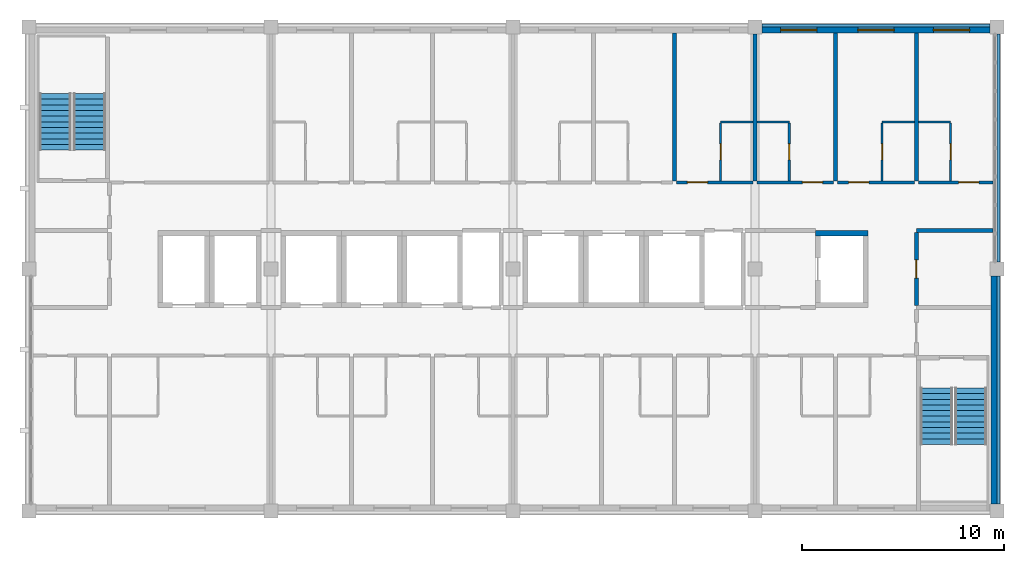
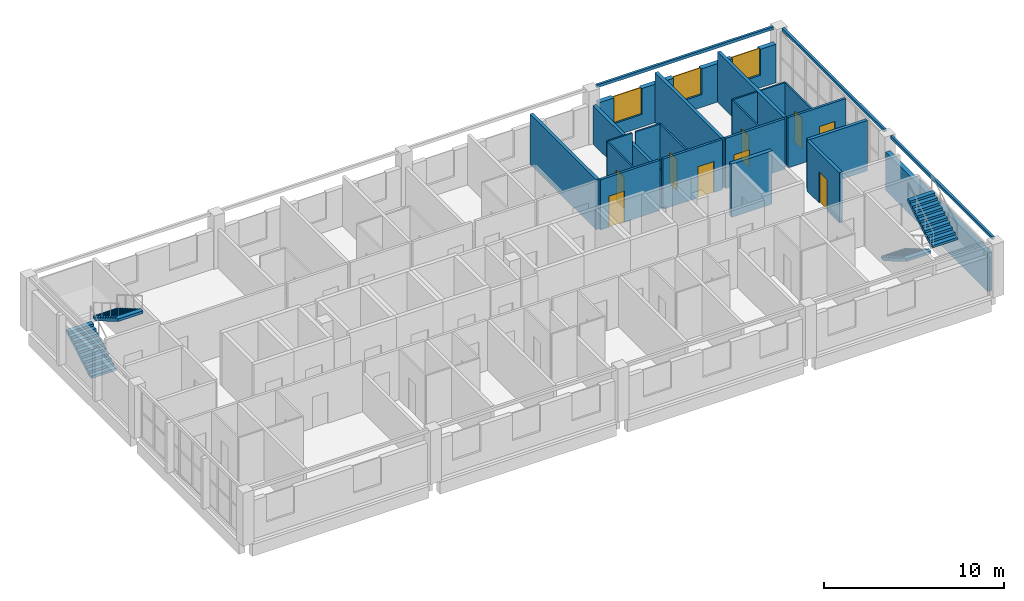
# One storey, part 10 of 11: 24 walls, 9 doors, 4 stair flights, 3 windows, 12 openings, 2 elements without a shape of their own.
"""IFC4 building model written with IfcOpenShell, lengths in metres."""

from ifc_helpers import new_model, si_unit, direction, frame, frame_2d, origin, place, context, subcontext, project, spatial, polyline, rectangle, outline, extrude, material, layer, layer_set, type_object, element, fill, aggregate, save


model = new_model("IFC4")

# Units and contexts
model_context = context("Model", 3, precision=1e-05, world=origin(), true_north=direction((0.0, 1.0)))
body_context = subcontext(model_context, "Body", "Model", "MODEL_VIEW")
ifc_project = project(units=[si_unit("LENGTHUNIT", "METRE"), si_unit("AREAUNIT", "SQUARE_METRE"), si_unit("VOLUMEUNIT", "CUBIC_METRE"), si_unit("PLANEANGLEUNIT", "RADIAN"), si_unit("MASSUNIT", "GRAM", prefix="KILO")], contexts=[model_context])

# Site, building, storey
site_placement = place(None, origin())
site = spatial("IfcSite", under=ifc_project, at=site_placement, CompositionType="ELEMENT")
building_placement = place(site_placement, origin())
building = spatial("IfcBuilding", under=site, at=building_placement, Name="Lilac Gate Convention Centre", CompositionType="ELEMENT")
storey_placement = place(building_placement, frame((0.0, 0.0, 57.0)))
storey = spatial("IfcBuildingStorey", under=building, at=storey_placement, Name="L14", CompositionType="ELEMENT", Elevation=57.0)

# Wall
ifc_material_1 = material(Name="Concrete C40", Category="concrete")
ifc_layer_1 = layer(ifc_material_1, 0.25)
ifc_layer_set_1 = layer_set([ifc_layer_1], Name="Concrete C40")
wall_type_1 = type_object("IfcWallType", Name="Core wall 250 C40", PredefinedType="SHEAR", material=ifc_layer_set_1)
wall_1_placement = place(storey_placement, frame((81.0, 235.77490234375, 0.0), z_axis=(0.0, 0.0, 1.0), x_axis=(1.0, 0.0, 0.0)))
element("IfcWall", 1, at=wall_1_placement, inside=storey, type_object=wall_type_1, Name="CRW5 core wall TC L14 34", PredefinedType="SHEAR", context=body_context, shape_type="SweptSolid", body=[
    extrude(rectangle(XDim=2.60009765625, YDim=0.25, at=frame_2d((1.300048828125, 0.0))), origin(), (0.0, 0.0, 1.0), 3.60009765625),
])

# Wall, opening, door
ifc_material_2 = material(Name="Gypsum board on steel stud", Category="steel")
ifc_layer_2 = layer(ifc_material_2, 0.14990234375)
ifc_layer_set_2 = layer_set([ifc_layer_2], Name="Gypsum board on steel stud")
wall_type_2 = type_object("IfcWallType", Name="Corridor wall 150", PredefinedType="PARTITIONING", material=ifc_layer_set_2)
wall_2_placement = place(storey_placement, frame((74.10009765625, 238.300048828125, 0.0), z_axis=(0.0, 0.0, 1.0), x_axis=(1.0, 0.0, 0.0)))
wall_2 = element("IfcWall", 2, at=wall_2_placement, inside=storey, type_object=wall_type_2, Name="Corridor wall 150 front 1417", PredefinedType="PARTITIONING", context=body_context, shape_type="SweptSolid", body=[
    extrude(rectangle(XDim=3.7998046875, YDim=0.14990234375, at=frame_2d((1.89990234375, 0.0))), origin(), (0.0, 0.0, 1.0), 3.39990234375),
])
opening_1_placement = place(wall_2_placement, frame((0.550048828125, 0.0, 0.0)))
opening_1 = element("IfcOpeningElement", 3, at=opening_1_placement, cuts=wall_2, Name="Opening T13-039", PredefinedType="OPENING", context=body_context, shape_type="SweptSolid", body=[
    extrude(rectangle(XDim=1.0, YDim=2.10009765625, at=frame_2d((0.5, 1.050048828125))), frame((0.0, 0.0849609375, 0.0), z_axis=(0.0, -1.0, 0.0), x_axis=(1.0, 0.0, 0.0)), (0.0, 0.0, 1.0), 0.169921875),
])
ifc_material_3 = material(Name="Timber", Category="wood")
door_type_1 = type_object("IfcDoorType", Name="Guest room entrance door 1000", OperationType="SINGLE_SWING_LEFT", PredefinedType="DOOR", material=ifc_material_3)
door_1_placement = place(opening_1_placement, origin())
door_1 = element("IfcDoor", 4, at=door_1_placement, inside=storey, type_object=door_type_1, Name="Guest room door 1417", OperationType="SINGLE_SWING_LEFT", OverallHeight=2.10009765625, OverallWidth=1.0, PredefinedType="DOOR", context=body_context, shape_type="SweptSolid", body=[
    extrude(rectangle(XDim=1.0, YDim=2.10009765625, at=frame_2d((0.5, 1.050048828125))), frame((0.0, 0.02490234375, 0.0), z_axis=(0.0, -1.0, 0.0), x_axis=(1.0, 0.0, 0.0)), (0.0, 0.0, 1.0), 0.050048828125),
])
fill(opening_1, door_1)

wall_3_placement = place(storey_placement, frame((78.10009765625, 238.300048828125, 0.0), z_axis=(0.0, 0.0, 1.0), x_axis=(1.0, 0.0, 0.0)))
wall_3 = element("IfcWall", 5, at=wall_3_placement, inside=storey, type_object=wall_type_2, Name="Corridor wall 150 front 1418", PredefinedType="PARTITIONING", context=body_context, shape_type="SweptSolid", body=[
    extrude(rectangle(XDim=3.7998046875, YDim=0.14990234375, at=frame_2d((1.89990234375, 0.0))), origin(), (0.0, 0.0, 1.0), 3.39990234375),
])
opening_2_placement = place(wall_3_placement, frame((2.25, 0.0, 0.0)))
opening_2 = element("IfcOpeningElement", 6, at=opening_2_placement, cuts=wall_3, Name="Opening T13-041", PredefinedType="OPENING", context=body_context, shape_type="SweptSolid", body=[
    extrude(rectangle(XDim=1.0, YDim=2.10009765625, at=frame_2d((0.5, 1.050048828125))), frame((0.0, 0.0849609375, 0.0), z_axis=(0.0, -1.0, 0.0), x_axis=(1.0, 0.0, 0.0)), (0.0, 0.0, 1.0), 0.169921875),
])
door_2_placement = place(opening_2_placement, origin())
door_2 = element("IfcDoor", 7, at=door_2_placement, inside=storey, type_object=door_type_1, Name="Guest room door 1418", OperationType="SINGLE_SWING_LEFT", OverallHeight=2.10009765625, OverallWidth=1.0, PredefinedType="DOOR", context=body_context, shape_type="SweptSolid", body=[
    extrude(rectangle(XDim=1.0, YDim=2.10009765625, at=frame_2d((0.5, 1.050048828125))), frame((0.0, 0.02490234375, 0.0), z_axis=(0.0, -1.0, 0.0), x_axis=(1.0, 0.0, 0.0)), (0.0, 0.0, 1.0), 0.050048828125),
])
fill(opening_2, door_2)

wall_4_placement = place(storey_placement, frame((82.10009765625, 238.300048828125, 0.0), z_axis=(0.0, 0.0, 1.0), x_axis=(1.0, 0.0, 0.0)))
wall_4 = element("IfcWall", 8, at=wall_4_placement, inside=storey, type_object=wall_type_2, Name="Corridor wall 150 front 1419", PredefinedType="PARTITIONING", context=body_context, shape_type="SweptSolid", body=[
    extrude(rectangle(XDim=3.7998046875, YDim=0.14990234375, at=frame_2d((1.89990234375, 0.0))), origin(), (0.0, 0.0, 1.0), 3.39990234375),
])
opening_3_placement = place(wall_4_placement, frame((0.550048828125, 0.0, 0.0)))
opening_3 = element("IfcOpeningElement", 9, at=opening_3_placement, cuts=wall_4, Name="Opening T13-043", PredefinedType="OPENING", context=body_context, shape_type="SweptSolid", body=[
    extrude(rectangle(XDim=1.0, YDim=2.10009765625, at=frame_2d((0.5, 1.050048828125))), frame((0.0, 0.0849609375, 0.0), z_axis=(0.0, -1.0, 0.0), x_axis=(1.0, 0.0, 0.0)), (0.0, 0.0, 1.0), 0.169921875),
])
door_3_placement = place(opening_3_placement, origin())
door_3 = element("IfcDoor", 10, at=door_3_placement, inside=storey, type_object=door_type_1, Name="Guest room door 1419", OperationType="SINGLE_SWING_LEFT", OverallHeight=2.10009765625, OverallWidth=1.0, PredefinedType="DOOR", context=body_context, shape_type="SweptSolid", body=[
    extrude(rectangle(XDim=1.0, YDim=2.10009765625, at=frame_2d((0.5, 1.050048828125))), frame((0.0, 0.02490234375, 0.0), z_axis=(0.0, -1.0, 0.0), x_axis=(1.0, 0.0, 0.0)), (0.0, 0.0, 1.0), 0.050048828125),
])
fill(opening_3, door_3)

wall_5_placement = place(storey_placement, frame((86.10009765625, 238.300048828125, 0.0), z_axis=(0.0, 0.0, 1.0), x_axis=(1.0, 0.0, 0.0)))
wall_5 = element("IfcWall", 11, at=wall_5_placement, inside=storey, type_object=wall_type_2, Name="Corridor wall 150 front 1420", PredefinedType="PARTITIONING", context=body_context, shape_type="SweptSolid", body=[
    extrude(rectangle(XDim=3.69970703125, YDim=0.14990234375, at=frame_2d((1.849853515625, 0.0))), origin(), (0.0, 0.0, 1.0), 3.39990234375),
])
opening_4_placement = place(wall_5_placement, frame((2.0, 0.0, 0.0)))
opening_4 = element("IfcOpeningElement", 12, at=opening_4_placement, cuts=wall_5, Name="Opening T13-045", PredefinedType="OPENING", context=body_context, shape_type="SweptSolid", body=[
    extrude(rectangle(XDim=1.0, YDim=2.10009765625, at=frame_2d((0.5, 1.050048828125))), frame((0.0, 0.0849609375, 0.0), z_axis=(0.0, -1.0, 0.0), x_axis=(1.0, 0.0, 0.0)), (0.0, 0.0, 1.0), 0.169921875),
])
door_4_placement = place(opening_4_placement, origin())
door_4 = element("IfcDoor", 13, at=door_4_placement, inside=storey, type_object=door_type_1, Name="Guest room door 1420", OperationType="SINGLE_SWING_LEFT", OverallHeight=2.10009765625, OverallWidth=1.0, PredefinedType="DOOR", context=body_context, shape_type="SweptSolid", body=[
    extrude(rectangle(XDim=1.0, YDim=2.10009765625, at=frame_2d((0.5, 1.050048828125))), frame((0.0, 0.02490234375, 0.0), z_axis=(0.0, -1.0, 0.0), x_axis=(1.0, 0.0, 0.0)), (0.0, 0.0, 1.0), 0.050048828125),
])
fill(opening_4, door_4)

# Wall
ifc_layer_3 = layer(ifc_material_2, 0.10009765625)
ifc_layer_set_3 = layer_set([ifc_layer_3], Name="Gypsum board on steel stud")
wall_type_3 = type_object("IfcWallType", Name="En-suite wall 100", PredefinedType="PARTITIONING", material=ifc_layer_set_3)
wall_6_placement = place(storey_placement, frame((76.300048828125, 241.300048828125, 0.0), z_axis=(0.0, 0.0, 1.0), x_axis=(1.0, 0.0, 0.0)))
element("IfcWall", 14, at=wall_6_placement, inside=storey, type_object=wall_type_3, Name="En-suite wall 100 bath 1417", PredefinedType="PARTITIONING", context=body_context, shape_type="SweptSolid", body=[
    extrude(rectangle(XDim=1.599853515625, YDim=0.10009765625, at=frame_2d((0.7998046875, 0.0))), origin(), (0.0, 0.0, 1.0), 3.39990234375),
])

# Wall, opening, door
wall_7_placement = place(storey_placement, frame((76.300048828125, 238.375, 0.0), z_axis=(0.0, 0.0, 1.0), x_axis=(0.0, 1.0, 0.0)))
wall_7 = element("IfcWall", 15, at=wall_7_placement, inside=storey, type_object=wall_type_3, Name="En-suite wall 100 bath side 1417", PredefinedType="PARTITIONING", context=body_context, shape_type="SweptSolid", body=[
    extrude(rectangle(XDim=2.875, YDim=0.10009765625, at=frame_2d((1.4375, 0.0))), origin(), (0.0, 0.0, 1.0), 3.39990234375),
])
opening_5_placement = place(wall_7_placement, frame((1.03759765625, 0.0, 0.0)))
opening_5 = element("IfcOpeningElement", 16, at=opening_5_placement, cuts=wall_7, Name="Opening T13-040", PredefinedType="OPENING", context=body_context, shape_type="SweptSolid", body=[
    extrude(rectangle(XDim=0.800048828125, YDim=2.10009765625, at=frame_2d((0.39990234375, 1.050048828125))), frame((0.0, 0.06005859375, 0.0), z_axis=(0.0, -1.0, 0.0), x_axis=(1.0, 0.0, 0.0)), (0.0, 0.0, 1.0), 0.1201171875),
])
door_type_2 = type_object("IfcDoorType", Name="En-suite door 800", OperationType="SINGLE_SWING_LEFT", PredefinedType="DOOR", material=ifc_material_3)
door_5_placement = place(opening_5_placement, origin())
door_5 = element("IfcDoor", 17, at=door_5_placement, inside=storey, type_object=door_type_2, Name="En-suite door 1417", OperationType="SINGLE_SWING_LEFT", OverallHeight=2.10009765625, OverallWidth=0.800048828125, PredefinedType="DOOR", context=body_context, shape_type="SweptSolid", body=[
    extrude(rectangle(XDim=0.800048828125, YDim=2.10009765625, at=frame_2d((0.39990234375, 1.050048828125))), frame((0.0, 0.02490234375, 0.0), z_axis=(0.0, -1.0, 0.0), x_axis=(1.0, 0.0, 0.0)), (0.0, 0.0, 1.0), 0.050048828125),
])
fill(opening_5, door_5)

# Wall
wall_8_placement = place(storey_placement, frame((78.10009765625, 241.300048828125, 0.0), z_axis=(0.0, 0.0, 1.0), x_axis=(1.0, 0.0, 0.0)))
element("IfcWall", 18, at=wall_8_placement, inside=storey, type_object=wall_type_3, Name="En-suite wall 100 bath 1418", PredefinedType="PARTITIONING", context=body_context, shape_type="SweptSolid", body=[
    extrude(rectangle(XDim=1.599853515625, YDim=0.10009765625, at=frame_2d((0.7998046875, 0.0))), origin(), (0.0, 0.0, 1.0), 3.39990234375),
])

# Wall, opening, door
wall_9_placement = place(storey_placement, frame((79.699951171875, 241.25, 0.0), z_axis=(0.0, 0.0, 1.0), x_axis=(0.0, -1.0, 0.0)))
wall_9 = element("IfcWall", 19, at=wall_9_placement, inside=storey, type_object=wall_type_3, Name="En-suite wall 100 bath side 1418", PredefinedType="PARTITIONING", context=body_context, shape_type="SweptSolid", body=[
    extrude(rectangle(XDim=2.875, YDim=0.10009765625, at=frame_2d((1.4375, 0.0))), origin(), (0.0, 0.0, 1.0), 3.39990234375),
])
opening_6_placement = place(wall_9_placement, frame((1.03759765625, 0.0, 0.0)))
opening_6 = element("IfcOpeningElement", 20, at=opening_6_placement, cuts=wall_9, Name="Opening T13-042", PredefinedType="OPENING", context=body_context, shape_type="SweptSolid", body=[
    extrude(rectangle(XDim=0.800048828125, YDim=2.10009765625, at=frame_2d((0.39990234375, 1.050048828125))), frame((0.0, 0.06005859375, 0.0), z_axis=(0.0, -1.0, 0.0), x_axis=(1.0, 0.0, 0.0)), (0.0, 0.0, 1.0), 0.1201171875),
])
door_6_placement = place(opening_6_placement, origin())
door_6 = element("IfcDoor", 21, at=door_6_placement, inside=storey, type_object=door_type_2, Name="En-suite door 1418", OperationType="SINGLE_SWING_RIGHT", OverallHeight=2.10009765625, OverallWidth=0.800048828125, PredefinedType="DOOR", context=body_context, shape_type="SweptSolid", body=[
    extrude(rectangle(XDim=0.800048828125, YDim=2.10009765625, at=frame_2d((0.39990234375, 1.050048828125))), frame((0.0, 0.02490234375, 0.0), z_axis=(0.0, -1.0, 0.0), x_axis=(1.0, 0.0, 0.0)), (0.0, 0.0, 1.0), 0.050048828125),
])
fill(opening_6, door_6)

# Wall
wall_10_placement = place(storey_placement, frame((84.300048828125, 241.300048828125, 0.0), z_axis=(0.0, 0.0, 1.0), x_axis=(1.0, 0.0, 0.0)))
element("IfcWall", 22, at=wall_10_placement, inside=storey, type_object=wall_type_3, Name="En-suite wall 100 bath 1419", PredefinedType="PARTITIONING", context=body_context, shape_type="SweptSolid", body=[
    extrude(rectangle(XDim=1.599853515625, YDim=0.10009765625, at=frame_2d((0.7998046875, 0.0))), origin(), (0.0, 0.0, 1.0), 3.39990234375),
])

# Wall, opening, door
wall_11_placement = place(storey_placement, frame((84.300048828125, 238.375, 0.0), z_axis=(0.0, 0.0, 1.0), x_axis=(0.0, 1.0, 0.0)))
wall_11 = element("IfcWall", 23, at=wall_11_placement, inside=storey, type_object=wall_type_3, Name="En-suite wall 100 bath side 1419", PredefinedType="PARTITIONING", context=body_context, shape_type="SweptSolid", body=[
    extrude(rectangle(XDim=2.875, YDim=0.10009765625, at=frame_2d((1.4375, 0.0))), origin(), (0.0, 0.0, 1.0), 3.39990234375),
])
opening_7_placement = place(wall_11_placement, frame((1.03759765625, 0.0, 0.0)))
opening_7 = element("IfcOpeningElement", 24, at=opening_7_placement, cuts=wall_11, Name="Opening T13-044", PredefinedType="OPENING", context=body_context, shape_type="SweptSolid", body=[
    extrude(rectangle(XDim=0.800048828125, YDim=2.10009765625, at=frame_2d((0.39990234375, 1.050048828125))), frame((0.0, 0.06005859375, 0.0), z_axis=(0.0, -1.0, 0.0), x_axis=(1.0, 0.0, 0.0)), (0.0, 0.0, 1.0), 0.1201171875),
])
door_7_placement = place(opening_7_placement, origin())
door_7 = element("IfcDoor", 25, at=door_7_placement, inside=storey, type_object=door_type_2, Name="En-suite door 1419", OperationType="SINGLE_SWING_LEFT", OverallHeight=2.10009765625, OverallWidth=0.800048828125, PredefinedType="DOOR", context=body_context, shape_type="SweptSolid", body=[
    extrude(rectangle(XDim=0.800048828125, YDim=2.10009765625, at=frame_2d((0.39990234375, 1.050048828125))), frame((0.0, 0.02490234375, 0.0), z_axis=(0.0, -1.0, 0.0), x_axis=(1.0, 0.0, 0.0)), (0.0, 0.0, 1.0), 0.050048828125),
])
fill(opening_7, door_7)

# Wall
wall_12_placement = place(storey_placement, frame((86.10009765625, 241.300048828125, 0.0), z_axis=(0.0, 0.0, 1.0), x_axis=(1.0, 0.0, 0.0)))
element("IfcWall", 26, at=wall_12_placement, inside=storey, type_object=wall_type_3, Name="En-suite wall 100 bath 1420", PredefinedType="PARTITIONING", context=body_context, shape_type="SweptSolid", body=[
    extrude(rectangle(XDim=1.599853515625, YDim=0.10009765625, at=frame_2d((0.7998046875, 0.0))), origin(), (0.0, 0.0, 1.0), 3.39990234375),
])

# Wall, opening, door
wall_13_placement = place(storey_placement, frame((87.699951171875, 241.25, 0.0), z_axis=(0.0, 0.0, 1.0), x_axis=(0.0, -1.0, 0.0)))
wall_13 = element("IfcWall", 27, at=wall_13_placement, inside=storey, type_object=wall_type_3, Name="En-suite wall 100 bath side 1420", PredefinedType="PARTITIONING", context=body_context, shape_type="SweptSolid", body=[
    extrude(rectangle(XDim=2.875, YDim=0.10009765625, at=frame_2d((1.4375, 0.0))), origin(), (0.0, 0.0, 1.0), 3.39990234375),
])
opening_8_placement = place(wall_13_placement, frame((1.03759765625, 0.0, 0.0)))
opening_8 = element("IfcOpeningElement", 28, at=opening_8_placement, cuts=wall_13, Name="Opening T13-046", PredefinedType="OPENING", context=body_context, shape_type="SweptSolid", body=[
    extrude(rectangle(XDim=0.800048828125, YDim=2.10009765625, at=frame_2d((0.39990234375, 1.050048828125))), frame((0.0, 0.06005859375, 0.0), z_axis=(0.0, -1.0, 0.0), x_axis=(1.0, 0.0, 0.0)), (0.0, 0.0, 1.0), 0.1201171875),
])
door_8_placement = place(opening_8_placement, origin())
door_8 = element("IfcDoor", 29, at=door_8_placement, inside=storey, type_object=door_type_2, Name="En-suite door 1420", OperationType="SINGLE_SWING_RIGHT", OverallHeight=2.10009765625, OverallWidth=0.800048828125, PredefinedType="DOOR", context=body_context, shape_type="SweptSolid", body=[
    extrude(rectangle(XDim=0.800048828125, YDim=2.10009765625, at=frame_2d((0.39990234375, 1.050048828125))), frame((0.0, 0.02490234375, 0.0), z_axis=(0.0, -1.0, 0.0), x_axis=(1.0, 0.0, 0.0)), (0.0, 0.0, 1.0), 0.050048828125),
])
fill(opening_8, door_8)

# Walls
ifc_layer_4 = layer(ifc_material_2, 0.199951171875)
ifc_layer_set_4 = layer_set([ifc_layer_4], Name="Gypsum board on steel stud")
wall_type_4 = type_object("IfcWallType", Name="Guest room party wall 200", PredefinedType="PARTITIONING", material=ifc_layer_set_4)
wall_14_placement = place(storey_placement, frame((74.0, 245.7001953125, 0.0), z_axis=(0.0, 0.0, 1.0), x_axis=(0.0, -1.0, 0.0)))
element("IfcWall", 30, at=wall_14_placement, inside=storey, type_object=wall_type_4, Name="Guest room party wall 200 party 74.0", PredefinedType="PARTITIONING", context=body_context, shape_type="SweptSolid", body=[
    extrude(rectangle(XDim=7.3251953125, YDim=0.199951171875, at=frame_2d((3.66259765625, 0.0))), origin(), (0.0, 0.0, 1.0), 3.39990234375),
])
wall_15_placement = place(storey_placement, frame((78.0, 245.64990234375, 0.0), z_axis=(0.0, 0.0, 1.0), x_axis=(0.0, -1.0, 0.0)))
element("IfcWall", 31, at=wall_15_placement, inside=storey, type_object=wall_type_4, Name="Guest room party wall 200 party 78.0", PredefinedType="PARTITIONING", context=body_context, shape_type="SweptSolid", body=[
    extrude(rectangle(XDim=7.27490234375, YDim=0.199951171875, at=frame_2d((3.637451171875, 0.0))), origin(), (0.0, 0.0, 1.0), 2.60009765625),
])
for number, where, z_axis, x_axis, name in (
    (32, (82.0, 245.7001953125, 0.0), (0.0, 0.0, 1.0), (0.0, -1.0, 0.0), "Guest room party wall 200 party 82.0"),
    (33, (86.0, 245.7001953125, 0.0), (0.0, 0.0, 1.0), (0.0, -1.0, 0.0), "Guest room party wall 200 party 86.0"),
):
    element("IfcWall", number, at=place(storey_placement, frame(where, z_axis=z_axis, x_axis=x_axis)), inside=storey, type_object=wall_type_4, Name=name, PredefinedType="PARTITIONING", context=body_context, shape_type="SweptSolid", body=[
        extrude(rectangle(XDim=7.3251953125, YDim=0.199951171875, at=frame_2d((3.66259765625, 0.0))), origin(), (0.0, 0.0, 1.0), 3.39990234375),
    ])
ifc_material_4 = material(Name="Concrete C40 precast", Category="concrete")
ifc_layer_5 = layer(ifc_material_4, 0.1298828125)
ifc_material_5 = material(Name="Ochre mineral render")
ifc_layer_6 = layer(ifc_material_5, 0.02001953125)
ifc_layer_set_5 = layer_set([ifc_layer_5, ifc_layer_6], Name="Concrete C40 precast, Ochre mineral render")
wall_type_5 = type_object("IfcWallType", Name="Precast band ochre 150", PredefinedType="STANDARD", material=ifc_layer_set_5)
for number, where, z_axis, x_axis, name in (
    (34, (90.074951171875, 222.35009765625, 3.39990234375), (0.0, 0.0, 1.0), (0.0, 1.0, 0.0), "Precast band E L14 1"),
    (35, (90.074951171875, 234.35009765625, 3.39990234375), (0.0, 0.0, 1.0), (0.0, 1.0, 0.0), "Precast band E L14 2"),
    (36, (89.64990234375, 246.074951171875, 3.39990234375), (0.0, 0.0, 1.0), (-1.0, 0.0, 0.0), "Precast band N L14 1"),
):
    element("IfcWall", number, at=place(storey_placement, frame(where, z_axis=z_axis, x_axis=x_axis)), inside=storey, type_object=wall_type_5, Name=name, PredefinedType="STANDARD", context=body_context, shape_type="SweptSolid", body=[
        extrude(rectangle(XDim=11.2998046875, YDim=0.14990234375, at=frame_2d((5.64990234375, 0.0))), origin(), (0.0, 0.0, 1.0), 0.2001953125),
    ])
ifc_material_6 = material(Name="Terracotta glazed cladding", Category="masonry")
ifc_layer_7 = layer(ifc_material_6, 0.02001953125)
ifc_layer_8 = layer(ifc_material_4, 0.06005859375)
ifc_material_7 = material(Name="Ventilated air cavity")
ifc_layer_9 = layer(ifc_material_7, 0.030029296875)
ifc_material_8 = material(Name="Mineral wool insulation")
ifc_layer_10 = layer(ifc_material_8, 0.1201171875)
ifc_material_9 = material(Name="Steel stud Q345 and gypsum lining", Category="steel")
ifc_layer_11 = layer(ifc_material_9, 0.070068359375)
ifc_layer_set_6 = layer_set([ifc_layer_7, ifc_layer_8, ifc_layer_9, ifc_layer_10, ifc_layer_11], Name="Terracotta glazed cladding, Concrete C40 precast, Ventilated air cavity, Mineral wool insulation, Steel stud Q345 and gypsum lining")
wall_type_6 = type_object("IfcWallType", Name="Precast panel wall terracotta 300", PredefinedType="STANDARD", material=ifc_layer_set_6)
wall_16_placement = place(storey_placement, frame((89.85009765625, 222.35009765625, 0.0), z_axis=(0.0, 0.0, 1.0), x_axis=(0.0, 1.0, 0.0)))
element("IfcWall", 37, at=wall_16_placement, inside=storey, type_object=wall_type_6, Name="External wall E L14 1", PredefinedType="STANDARD", context=body_context, shape_type="SweptSolid", body=[
    extrude(rectangle(XDim=11.2998046875, YDim=0.300048828125, at=frame_2d((5.64990234375, 0.0))), origin(), (0.0, 0.0, 1.0), 2.60009765625),
])

# Wall, openings, windows
wall_17_placement = place(storey_placement, frame((89.64990234375, 245.85009765625, 0.0), z_axis=(0.0, 0.0, 1.0), x_axis=(-1.0, 0.0, 0.0)))
wall_17 = element("IfcWall", 38, at=wall_17_placement, inside=storey, type_object=wall_type_6, Name="External wall N L14 1", PredefinedType="STANDARD", context=body_context, shape_type="SweptSolid", body=[
    extrude(rectangle(XDim=11.2998046875, YDim=0.300048828125, at=frame_2d((5.64990234375, 0.0))), origin(), (0.0, 0.0, 1.0), 2.60009765625),
])
opening_9_placement = place(wall_17_placement, frame((8.574951171875, 0.0, 0.85009765625)))
opening_9 = element("IfcOpeningElement", 39, at=opening_9_placement, cuts=wall_17, Name="Opening W1", PredefinedType="OPENING", context=body_context, shape_type="SweptSolid", body=[
    extrude(rectangle(XDim=1.800048828125, YDim=1.75, at=frame_2d((0.89990234375, 0.875))), frame((0.0, 0.159912109375, 0.0), z_axis=(0.0, -1.0, 0.0), x_axis=(1.0, 0.0, 0.0)), (0.0, 0.0, 1.0), 0.320068359375),
])
opening_10_placement = place(wall_17_placement, frame((4.75, 0.0, 0.85009765625)))
opening_10 = element("IfcOpeningElement", 40, at=opening_10_placement, cuts=wall_17, Name="Opening W1", PredefinedType="OPENING", context=body_context, shape_type="SweptSolid", body=[
    extrude(rectangle(XDim=1.800048828125, YDim=1.75, at=frame_2d((0.89990234375, 0.875))), frame((0.0, 0.159912109375, 0.0), z_axis=(0.0, -1.0, 0.0), x_axis=(1.0, 0.0, 0.0)), (0.0, 0.0, 1.0), 0.320068359375),
])
opening_11_placement = place(wall_17_placement, frame((1.0, 0.0, 0.85009765625)))
opening_11 = element("IfcOpeningElement", 41, at=opening_11_placement, cuts=wall_17, Name="Opening W1", PredefinedType="OPENING", context=body_context, shape_type="SweptSolid", body=[
    extrude(rectangle(XDim=1.800048828125, YDim=1.75, at=frame_2d((0.89990234375, 0.875))), frame((0.0, 0.159912109375, 0.0), z_axis=(0.0, -1.0, 0.0), x_axis=(1.0, 0.0, 0.0)), (0.0, 0.0, 1.0), 0.320068359375),
])
ifc_material_10 = material(Name="Aluminium framed double glazing", Category="aluminium")
window_type = type_object("IfcWindowType", Name="Guest room window 1800 x 1750", PartitioningType="DOUBLE_PANEL_VERTICAL", PredefinedType="WINDOW", material=ifc_material_10)
window_1_placement = place(opening_9_placement, origin())
window_1 = element("IfcWindow", 42, at=window_1_placement, inside=storey, type_object=window_type, Name="Window Guest N L14", OverallHeight=1.75, OverallWidth=1.800048828125, PartitioningType="SINGLE_PANEL", PredefinedType="WINDOW", context=body_context, shape_type="SweptSolid", body=[
    extrude(rectangle(XDim=1.800048828125, YDim=1.75, at=frame_2d((0.89990234375, 0.875))), frame((0.0, 0.030029296875, 0.0), z_axis=(0.0, -1.0, 0.0), x_axis=(1.0, 0.0, 0.0)), (0.0, 0.0, 1.0), 0.06005859375),
])
fill(opening_9, window_1)
window_2_placement = place(opening_10_placement, origin())
window_2 = element("IfcWindow", 43, at=window_2_placement, inside=storey, type_object=window_type, Name="Window Guest N L14", OverallHeight=1.75, OverallWidth=1.800048828125, PartitioningType="SINGLE_PANEL", PredefinedType="WINDOW", context=body_context, shape_type="SweptSolid", body=[
    extrude(rectangle(XDim=1.800048828125, YDim=1.75, at=frame_2d((0.89990234375, 0.875))), frame((0.0, 0.030029296875, 0.0), z_axis=(0.0, -1.0, 0.0), x_axis=(1.0, 0.0, 0.0)), (0.0, 0.0, 1.0), 0.06005859375),
])
fill(opening_10, window_2)
window_3_placement = place(opening_11_placement, origin())
window_3 = element("IfcWindow", 44, at=window_3_placement, inside=storey, type_object=window_type, Name="Window Guest N L14", OverallHeight=1.75, OverallWidth=1.800048828125, PartitioningType="SINGLE_PANEL", PredefinedType="WINDOW", context=body_context, shape_type="SweptSolid", body=[
    extrude(rectangle(XDim=1.800048828125, YDim=1.75, at=frame_2d((0.89990234375, 0.875))), frame((0.0, 0.030029296875, 0.0), z_axis=(0.0, -1.0, 0.0), x_axis=(1.0, 0.0, 0.0)), (0.0, 0.0, 1.0), 0.06005859375),
])
fill(opening_11, window_3)

# Wall
ifc_layer_12 = layer(ifc_material_2, 0.199951171875)
ifc_layer_set_7 = layer_set([ifc_layer_12], Name="Gypsum board on steel stud")
wall_type_7 = type_object("IfcWallType", Name="Riser and store wall 200", PredefinedType="PARTITIONING", material=ifc_layer_set_7)
wall_18_placement = place(storey_placement, frame((86.0, 235.89990234375, 0.0), z_axis=(0.0, 0.0, 1.0), x_axis=(1.0, 0.0, 0.0)))
element("IfcWall", 45, at=wall_18_placement, inside=storey, type_object=wall_type_7, Name="Riser and store wall 200 STE-N", PredefinedType="PARTITIONING", context=body_context, shape_type="SweptSolid", body=[
    extrude(rectangle(XDim=3.7998046875, YDim=0.199951171875, at=frame_2d((1.89990234375, 0.0))), origin(), (0.0, 0.0, 1.0), 3.39990234375),
])

# Wall, opening, door
wall_19_placement = place(storey_placement, frame((86.0, 235.800048828125, 0.0), z_axis=(0.0, 0.0, 1.0), x_axis=(0.0, -1.0, 0.0)))
wall_19 = element("IfcWall", 46, at=wall_19_placement, inside=storey, type_object=wall_type_7, Name="Riser and store wall 200 STE-W", PredefinedType="PARTITIONING", context=body_context, shape_type="SweptSolid", body=[
    extrude(rectangle(XDim=3.60009765625, YDim=0.199951171875, at=frame_2d((1.800048828125, 0.0))), origin(), (0.0, 0.0, 1.0), 3.39990234375),
])
opening_12_placement = place(wall_19_placement, frame((1.35009765625, 0.0, 0.0)))
opening_12 = element("IfcOpeningElement", 47, at=opening_12_placement, cuts=wall_19, Name="Opening T13-005", PredefinedType="OPENING", context=body_context, shape_type="SweptSolid", body=[
    extrude(rectangle(XDim=0.89990234375, YDim=2.10009765625, at=frame_2d((0.449951171875, 1.050048828125))), frame((0.0, 0.10986328125, 0.0), z_axis=(0.0, -1.0, 0.0), x_axis=(1.0, 0.0, 0.0)), (0.0, 0.0, 1.0), 0.219970703125),
])
ifc_material_11 = material(Name="Steel Q235B", Category="steel")
door_type_3 = type_object("IfcDoorType", Name="Riser and store door 900", OperationType="SINGLE_SWING_LEFT", PredefinedType="DOOR", material=ifc_material_11)
door_9_placement = place(opening_12_placement, origin())
door_9 = element("IfcDoor", 48, at=door_9_placement, inside=storey, type_object=door_type_3, Name="Linen store door", OperationType="SINGLE_SWING_LEFT", OverallHeight=2.10009765625, OverallWidth=0.89990234375, PredefinedType="DOOR", context=body_context, shape_type="SweptSolid", body=[
    extrude(rectangle(XDim=0.89990234375, YDim=2.10009765625, at=frame_2d((0.449951171875, 1.050048828125))), frame((0.0, 0.02490234375, 0.0), z_axis=(0.0, -1.0, 0.0), x_axis=(1.0, 0.0, 0.0)), (0.0, 0.0, 1.0), 0.050048828125),
])
fill(opening_12, door_9)

# Stair, stair flights
stair_type = type_object("IfcStairType", Name="Exit stair", PredefinedType="DOUBLE_RETURN_STAIR", material=ifc_material_1)
stair_1_placement = place(storey_placement, origin())
stair_1 = element("IfcStair", 49, at=stair_1_placement, inside=storey, type_object=stair_type, Name="Exit stair NW L14", PredefinedType="DOUBLE_RETURN_STAIR")
stair_flight_type = type_object("IfcStairFlightType", Name="Exit stair flight", PredefinedType="STRAIGHT", material=ifc_material_1)
stair_flight_1_placement = place(storey_placement, frame((43.300048828125, 239.89990234375, 0.0), z_axis=(0.0, 0.0, 1.0), x_axis=(0.0, 1.0, 0.0)))
stair_flight_1 = element("IfcStairFlight", 50, at=stair_flight_1_placement, type_object=stair_flight_type, Name="ST-NW flight 1", NumberOfRisers=11, NumberOfTreads=10, PredefinedType="STRAIGHT", RiserHeight=0.163636364, TreadLength=0.28, context=body_context, shape_type="SweptSolid", body=[
    extrude(outline(polyline([(0.0, 0.0), (0.0, 0.16357421875), (0.280029296875, 0.16357421875), (0.280029296875, 0.327392578125), (0.56005859375, 0.327392578125), (0.56005859375, 0.490966796875), (0.840087890625, 0.490966796875), (0.840087890625, 0.654541015625), (1.1201171875, 0.654541015625), (1.1201171875, 0.818115234375), (1.39990234375, 0.818115234375), (1.39990234375, 0.98193359375), (1.679931640625, 0.98193359375), (1.679931640625, 1.1455078125), (1.9599609375, 1.1455078125), (1.9599609375, 1.30908203125), (2.239990234375, 1.30908203125), (2.239990234375, 1.47265625), (2.52001953125, 1.47265625), (2.52001953125, 1.636474609375), (2.800048828125, 1.636474609375), (2.800048828125, 1.800048828125), (2.800048828125, 1.462646484375), (0.297119140625, 0.0), (0.0, 0.0)])), frame((0.0, 0.800048828125, 0.0), z_axis=(0.0, -1.0, 0.0), x_axis=(1.0, 0.0, 0.0)), (0.0, 0.0, 1.0), 1.60009765625),
])
stair_flight_2_placement = place(storey_placement, frame((45.0, 242.699951171875, 1.800048828125), z_axis=(0.0, 0.0, 1.0), x_axis=(0.0, -1.0, 0.0)))
stair_flight_2 = element("IfcStairFlight", 51, at=stair_flight_2_placement, type_object=stair_flight_type, Name="ST-NW flight 2", NumberOfRisers=11, NumberOfTreads=10, PredefinedType="STRAIGHT", RiserHeight=0.163636364, TreadLength=0.28, context=body_context, shape_type="SweptSolid", body=[
    extrude(outline(polyline([(0.0, 0.0), (0.0, 0.16357421875), (0.280029296875, 0.16357421875), (0.280029296875, 0.327392578125), (0.56005859375, 0.327392578125), (0.56005859375, 0.490966796875), (0.840087890625, 0.490966796875), (0.840087890625, 0.654541015625), (1.1201171875, 0.654541015625), (1.1201171875, 0.818115234375), (1.39990234375, 0.818115234375), (1.39990234375, 0.98193359375), (1.679931640625, 0.98193359375), (1.679931640625, 1.1455078125), (1.9599609375, 1.1455078125), (1.9599609375, 1.30908203125), (2.239990234375, 1.30908203125), (2.239990234375, 1.47265625), (2.52001953125, 1.47265625), (2.52001953125, 1.636474609375), (2.800048828125, 1.636474609375), (2.800048828125, 1.800048828125), (2.800048828125, 1.462646484375), (0.297119140625, 0.0), (0.0, 0.0)])), frame((0.0, 0.800048828125, 0.0), z_axis=(0.0, -1.0, 0.0), x_axis=(1.0, 0.0, 0.0)), (0.0, 0.0, 1.0), 1.60009765625),
])
aggregate(stair_1, [stair_flight_1, stair_flight_2])

stair_2_placement = place(storey_placement, origin())
stair_2 = element("IfcStair", 52, at=stair_2_placement, inside=storey, type_object=stair_type, Name="Exit stair SE L14", PredefinedType="DOUBLE_RETURN_STAIR")
stair_flight_3_placement = place(storey_placement, frame((87.0, 228.10009765625, 0.0), z_axis=(0.0, 0.0, 1.0), x_axis=(0.0, -1.0, 0.0)))
stair_flight_3 = element("IfcStairFlight", 53, at=stair_flight_3_placement, type_object=stair_flight_type, Name="ST-SE flight 1", NumberOfRisers=11, NumberOfTreads=10, PredefinedType="STRAIGHT", RiserHeight=0.163636364, TreadLength=0.28, context=body_context, shape_type="SweptSolid", body=[
    extrude(outline(polyline([(0.0, 0.0), (0.0, 0.16357421875), (0.280029296875, 0.16357421875), (0.280029296875, 0.327392578125), (0.56005859375, 0.327392578125), (0.56005859375, 0.490966796875), (0.840087890625, 0.490966796875), (0.840087890625, 0.654541015625), (1.1201171875, 0.654541015625), (1.1201171875, 0.818115234375), (1.39990234375, 0.818115234375), (1.39990234375, 0.98193359375), (1.679931640625, 0.98193359375), (1.679931640625, 1.1455078125), (1.9599609375, 1.1455078125), (1.9599609375, 1.30908203125), (2.239990234375, 1.30908203125), (2.239990234375, 1.47265625), (2.52001953125, 1.47265625), (2.52001953125, 1.636474609375), (2.800048828125, 1.636474609375), (2.800048828125, 1.800048828125), (2.800048828125, 1.462646484375), (0.297119140625, 0.0), (0.0, 0.0)])), frame((0.0, 0.800048828125, 0.0), z_axis=(0.0, -1.0, 0.0), x_axis=(1.0, 0.0, 0.0)), (0.0, 0.0, 1.0), 1.60009765625),
])
stair_flight_4_placement = place(storey_placement, frame((88.699951171875, 225.300048828125, 1.800048828125), z_axis=(0.0, 0.0, 1.0), x_axis=(0.0, 1.0, 0.0)))
stair_flight_4 = element("IfcStairFlight", 54, at=stair_flight_4_placement, type_object=stair_flight_type, Name="ST-SE flight 2", NumberOfRisers=11, NumberOfTreads=10, PredefinedType="STRAIGHT", RiserHeight=0.163636364, TreadLength=0.28, context=body_context, shape_type="SweptSolid", body=[
    extrude(outline(polyline([(0.0, 0.0), (0.0, 0.16357421875), (0.280029296875, 0.16357421875), (0.280029296875, 0.327392578125), (0.56005859375, 0.327392578125), (0.56005859375, 0.490966796875), (0.840087890625, 0.490966796875), (0.840087890625, 0.654541015625), (1.1201171875, 0.654541015625), (1.1201171875, 0.818115234375), (1.39990234375, 0.818115234375), (1.39990234375, 0.98193359375), (1.679931640625, 0.98193359375), (1.679931640625, 1.1455078125), (1.9599609375, 1.1455078125), (1.9599609375, 1.30908203125), (2.239990234375, 1.30908203125), (2.239990234375, 1.47265625), (2.52001953125, 1.47265625), (2.52001953125, 1.636474609375), (2.800048828125, 1.636474609375), (2.800048828125, 1.800048828125), (2.800048828125, 1.462646484375), (0.297119140625, 0.0), (0.0, 0.0)])), frame((0.0, 0.800048828125, 0.0), z_axis=(0.0, -1.0, 0.0), x_axis=(1.0, 0.0, 0.0)), (0.0, 0.0, 1.0), 1.60009765625),
])
aggregate(stair_2, [stair_flight_3, stair_flight_4])

save(model, "model.ifc")
